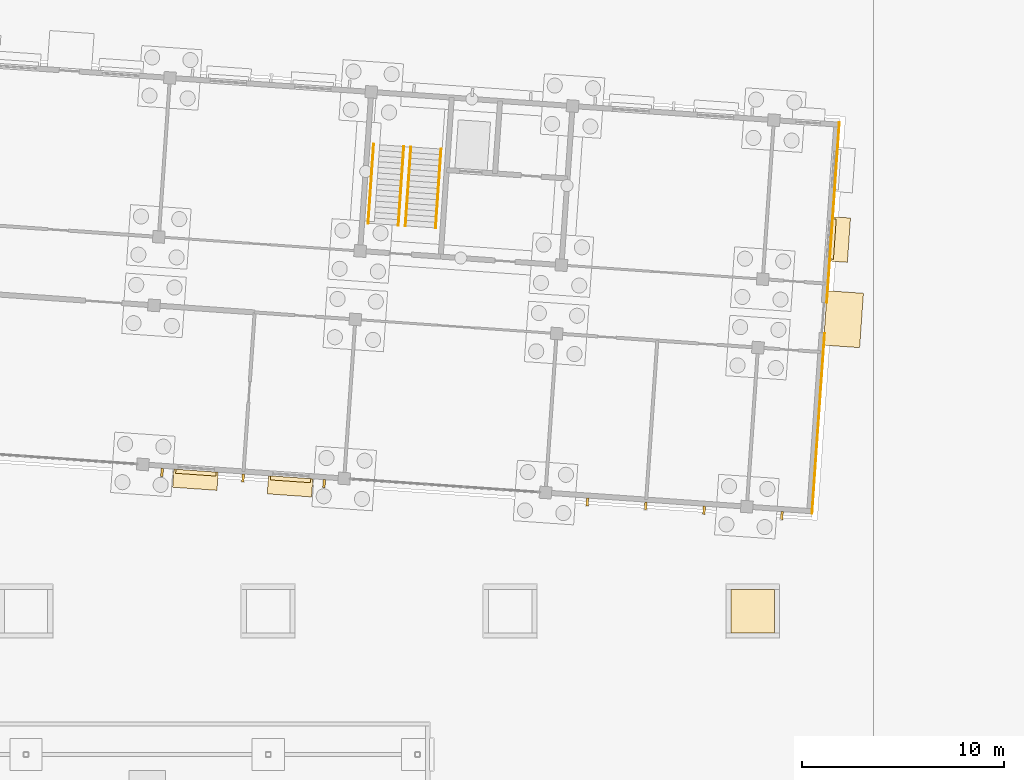
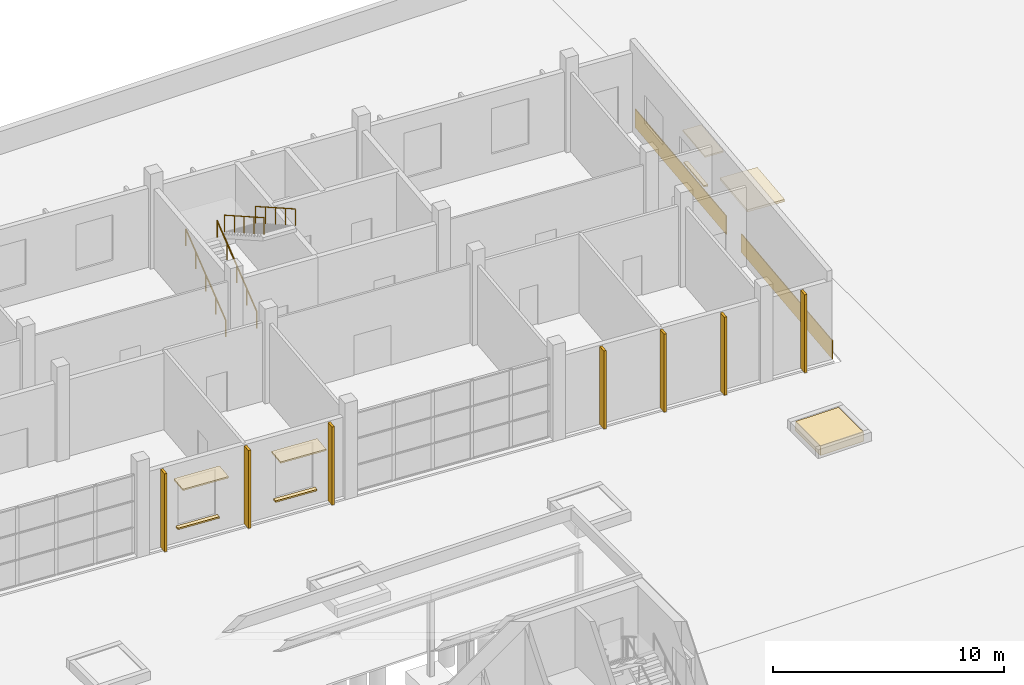
# One storey, part 152 of 157: 10 coverings, 7 shading devices, 4 railings.
"""IFC4 building model written with IfcOpenShell, lengths in metres."""

import ifcopenshell
import ifcopenshell.guid

model = None  # the IFC model being written
_history = None  # IfcOwnerHistory: only IFC2X3 demands one
_inside = {}  # id of a spatial element -> (the spatial element, [elements in it])
_under = {}  # id of a project, library or spatial element -> (it, [spatial elements below it])
_declared = {}  # id of a project -> (the project, [libraries it declares])
_typed = {}  # id of a type object -> (the type object, [elements of that type])
_made_of = {}  # id of a material, layer set ... -> (it, [elements and type objects made of it])


def new_model(schema):
    """Start an empty IFC model of exactly this schema.

    Asked for "IFC4X3", IfcOpenShell would pick the latest addendum, in which some entities
    have other attributes; the version numbers below select the first issue.
    IFC2X3 requires an IfcOwnerHistory on every rooted entity: one is made here for all.
    """
    global model, _history
    if schema == "IFC4X3":
        model = ifcopenshell.file(schema_version=(4, 3, 0, 0))
    else:
        model = ifcopenshell.file(schema=schema)
    _inside.clear()
    _under.clear()
    _declared.clear()
    _typed.clear()
    _made_of.clear()
    _history = None
    if model.schema == "IFC2X3":
        org = make("IfcOrganization", Name="unknown")
        user = make(
            "IfcPersonAndOrganization",
            ThePerson=make("IfcPerson", FamilyName="unknown"),
            TheOrganization=org,
        )
        app = make(
            "IfcApplication",
            ApplicationDeveloper=org,
            Version="unknown",
            ApplicationFullName="unknown",
            ApplicationIdentifier="unknown",
        )
        _history = make(
            "IfcOwnerHistory",
            OwningUser=user,
            OwningApplication=app,
            ChangeAction="ADDED",
            CreationDate=0,
        )
    return model


def make(cls, **values):
    """One entity of the class cls with the attributes given. An attribute that is None is left unset."""
    return model.create_entity(
        cls, **{name: value for name, value in values.items() if value is not None}
    )


def rooted(cls, **values):
    """An entity with a GlobalId (a new one), such as an element, a storey or a relation."""
    return make(cls, GlobalId=ifcopenshell.guid.new(), OwnerHistory=_history, **values)


def si_unit(unit_type, name, prefix=None):
    """IfcSIUnit, for example si_unit("LENGTHUNIT", "METRE", prefix="MILLI")."""
    return make("IfcSIUnit", UnitType=unit_type, Prefix=prefix, Name=name)


def assignment(units):
    """IfcUnitAssignment: the units of a project."""
    return None if units is None else make("IfcUnitAssignment", Units=units)


def point(xyz):
    """IfcCartesianPoint."""
    return None if xyz is None else make("IfcCartesianPoint", Coordinates=xyz)


def direction(xyz):
    """IfcDirection."""
    return None if xyz is None else make("IfcDirection", DirectionRatios=xyz)


def frame(location, z_axis=None, x_axis=None):
    """IfcAxis2Placement3D, a coordinate frame: its origin and axes. An axis left out is left unset."""
    return make(
        "IfcAxis2Placement3D",
        Location=point(location),
        Axis=direction(z_axis),
        RefDirection=direction(x_axis),
    )


def frame_2d(location, x_axis=None):
    """IfcAxis2Placement2D, a coordinate frame in the plane: its origin and x axis."""
    return make(
        "IfcAxis2Placement2D", Location=point(location), RefDirection=direction(x_axis)
    )


def origin():
    """The frame at (0, 0, 0) with its axes left unset."""
    return frame((0.0, 0.0, 0.0))


def origin_2d():
    """The frame at (0, 0) in the plane with its x axis left unset."""
    return frame_2d((0.0, 0.0))


def place(relative_to, where):
    """IfcLocalPlacement: puts the frame where relative to a parent placement (None: the world)."""
    return make(
        "IfcLocalPlacement", PlacementRelTo=relative_to, RelativePlacement=where
    )


def context(
    kind, dimensions, precision=None, world=None, true_north=None, identifier=None
):
    """IfcGeometricRepresentationContext, for example the 3D "Model" context."""
    return make(
        "IfcGeometricRepresentationContext",
        ContextIdentifier=identifier,
        ContextType=kind,
        CoordinateSpaceDimension=dimensions,
        Precision=precision,
        WorldCoordinateSystem=world,
        TrueNorth=true_north,
    )


def subcontext(parent, identifier, kind, view, scale=None):
    """IfcGeometricRepresentationSubContext, for example "Body" below "Model"."""
    return make(
        "IfcGeometricRepresentationSubContext",
        ContextIdentifier=identifier,
        ContextType=kind,
        ParentContext=parent,
        TargetScale=scale,
        TargetView=view,
    )


def project(units=None, contexts=None):
    """IfcProject with its units and contexts."""
    return rooted(
        "IfcProject",
        Name="project",
        RepresentationContexts=contexts,
        UnitsInContext=assignment(units),
    )


def spatial(cls, under=None, at=None, **own):
    """A site, building, storey or space (cls), placed at a placement, below another one or the project."""
    s = rooted(cls, ObjectPlacement=at, **own)
    if under is not None:
        _under.setdefault(under.id(), (under, []))[1].append(s)
    return s


def polyline(points):
    """IfcPolyline through the points."""
    return make("IfcPolyline", Points=[point(p) for p in points])


def profile(cls, at=None, kind="AREA", **sizes):
    """A parametric profile (cls). Its sizes go by their IFC names, for example OverallWidth=200.0."""
    return make(cls, ProfileType=kind, Position=at, **sizes)


def circle(**sizes):
    """IfcCircleProfileDef."""
    return profile("IfcCircleProfileDef", **sizes)


def outline(outer, holes=None, kind="AREA"):
    """IfcArbitraryClosedProfileDef: a profile drawn as a closed curve; with holes, ...WithVoids."""
    if holes is None:
        return make("IfcArbitraryClosedProfileDef", ProfileType=kind, OuterCurve=outer)
    return make(
        "IfcArbitraryProfileDefWithVoids",
        ProfileType=kind,
        OuterCurve=outer,
        InnerCurves=holes,
    )


def extrude(swept, where, along, depth):
    """IfcExtrudedAreaSolid: the profile swept, set in the frame where, extruded along a direction by depth."""
    return make(
        "IfcExtrudedAreaSolid",
        SweptArea=swept,
        Position=where,
        ExtrudedDirection=direction(along),
        Depth=depth,
    )


def shape(context_of_items, identifier, shape_type, items):
    """IfcShapeRepresentation: the items that make up one representation, for example the "Body"."""
    return make(
        "IfcShapeRepresentation",
        ContextOfItems=context_of_items,
        RepresentationIdentifier=identifier,
        RepresentationType=shape_type,
        Items=items,
    )


def material(Name=None, Category=None):
    """IfcMaterial."""
    return make("IfcMaterial", Name=Name, Category=Category)


def layer(
    of_material, thickness, ventilated=None, Name=None, Category=None, Priority=None
):
    """IfcMaterialLayer: one layer of a wall or slab, of a material (None: an air gap)."""
    return make(
        "IfcMaterialLayer",
        Material=of_material,
        LayerThickness=thickness,
        IsVentilated=ventilated,
        Name=Name,
        Category=Category,
        Priority=Priority,
    )


def layer_set(layers, Name=None):
    """IfcMaterialLayerSet."""
    return make("IfcMaterialLayerSet", MaterialLayers=layers, LayerSetName=Name)


def made_of(thing, what):
    """Note that an element or type object is made of a material, layer set ...; save() writes the relation."""
    if what is not None:
        _made_of.setdefault(what.id(), (what, []))[1].append(thing)
    return thing


def type_object(cls, material=None, **own):
    """A type object (cls), such as IfcWallType, which elements share."""
    return made_of(rooted(cls, **own), material)


def element(
    cls,
    number,
    at=None,
    inside=None,
    cuts=None,
    type_object=None,
    material=None,
    context=None,
    identifier="Body",
    shape_type=None,
    held_by="IfcProductDefinitionShape",
    body=None,
    shapes=None,
    **own,
):
    """One element of the class cls, such as IfcWall. Its Tag is "e" and its number.

    at: its placement. inside: the storey or other place that contains it. cuts: it is an
    opening in that element (IfcRelVoidsElement). A single representation is given by context,
    identifier, shape_type and body (its items); several are given by shapes. held_by: the class
    of the entity that holds the representations. save() writes the other relations.
    """
    e = rooted(cls, Tag="e%d" % number, ObjectPlacement=at, **own)
    if body is not None:
        shapes = [shape(context, identifier, shape_type, body)]
    if shapes is not None:
        e.Representation = make(held_by, Representations=shapes)
    if inside is not None:
        _inside.setdefault(inside.id(), (inside, []))[1].append(e)
    if cuts is not None:
        rooted(
            "IfcRelVoidsElement", RelatingBuildingElement=cuts, RelatedOpeningElement=e
        )
    if type_object is not None:
        _typed.setdefault(type_object.id(), (type_object, []))[1].append(e)
    return made_of(e, material)


def aggregate(whole, parts):
    """IfcRelAggregates: a whole, such as a stair, and the parts it consists of."""
    return rooted("IfcRelAggregates", RelatingObject=whole, RelatedObjects=parts)


def save(model, path):
    """Write the relations noted so far, then the file.

    IfcRelAggregates (storeys below a building ...), IfcRelContainedInSpatialStructure (elements
    in a storey), IfcRelDefinesByType, IfcRelAssociatesMaterial and IfcRelDeclares: one each for
    every whole, place, type object, material and project.
    """
    for whole, parts in _under.values():
        aggregate(whole, parts)
    for where, things in _inside.values():
        rooted(
            "IfcRelContainedInSpatialStructure",
            RelatedElements=things,
            RelatingStructure=where,
        )
    for kind, things in _typed.values():
        rooted("IfcRelDefinesByType", RelatedObjects=things, RelatingType=kind)
    for what, things in _made_of.values():
        rooted("IfcRelAssociatesMaterial", RelatedObjects=things, RelatingMaterial=what)
    for by, libraries in _declared.values():
        rooted("IfcRelDeclares", RelatingContext=by, RelatedDefinitions=libraries)
    model.write(path)


model = new_model("IFC4")

# Units and contexts
model_context = context("Model", 3, precision=1e-05, world=origin(), true_north=direction((0.0, 1.0)))
body_context = subcontext(model_context, "Body", "Model", "MODEL_VIEW")
ifc_project = project(units=[si_unit("LENGTHUNIT", "METRE"), si_unit("AREAUNIT", "SQUARE_METRE"), si_unit("VOLUMEUNIT", "CUBIC_METRE"), si_unit("PLANEANGLEUNIT", "RADIAN"), si_unit("MASSUNIT", "GRAM", prefix="KILO")], contexts=[model_context])

# Site, building, storey
site_placement = place(None, origin())
site = spatial("IfcSite", under=ifc_project, at=site_placement, CompositionType="ELEMENT")
building_placement = place(site_placement, origin())
building = spatial("IfcBuilding", under=site, at=building_placement, Name="Windward Yard Aquatics Centre", CompositionType="ELEMENT")
storey_placement = place(building_placement, origin())
storey = spatial("IfcBuildingStorey", under=building, at=storey_placement, Name="L00", CompositionType="ELEMENT", Elevation=0.0)

# Covering
ifc_material_1 = material(Name="Aluminium standing seam canopy on steel brackets", Category="steel")
ifc_layer_1 = layer(ifc_material_1, 0.1201171875)
ifc_layer_set_1 = layer_set([ifc_layer_1], Name="W entrance canopy aluminium 2700x1800")
covering_type_1 = type_object("IfcCoveringType", Name="W entrance canopy aluminium 2700x1800", PredefinedType="CLADDING", material=ifc_layer_set_1)
covering_1_placement = place(storey_placement, frame((0.0, 0.0, 2.5)))
element("IfcCovering", 1, at=covering_1_placement, inside=storey, type_object=covering_type_1, Name="Entrance canopy W0003", PredefinedType="CLADDING", context=body_context, shape_type="SweptSolid", body=[
    extrude(outline(polyline([(171.509765625, 120.684814453125), (171.697998046875, 123.378173828125), (173.49365234375, 123.25244140625), (173.305419921875, 120.55908203125), (171.509765625, 120.684814453125)])), origin(), (0.0, 0.0, 1.0), 0.1201171875),
])

# Railings
ifc_material_2 = material(Name="Stainless steel 1.4401", Category="steel")
railing_type = type_object("IfcRailingType", Name="W handrail 900", PredefinedType="HANDRAIL", material=ifc_material_2)
for number, where, name in (
    (2, (148.950927734375, 126.722900390625, 0.166748046875), "W.HR.E.L00.1L"),
    (3, (150.447265625, 126.618408203125, 0.166748046875), "W.HR.E.L00.1R"),
):
    element("IfcRailing", number, at=place(storey_placement, frame(where)), inside=storey, type_object=railing_type, Name=name, PredefinedType="HANDRAIL", context=body_context, shape_type="SweptSolid", body=[
        extrude(circle(Radius=0.02392578125, at=origin_2d()), frame((0.0, 0.0, 0.8759765625), z_axis=(0.059940638829, 0.857204653678, 0.511475611862), x_axis=(-0.997564127174, 0.069755373817, 0.0)), (0.0, 0.0, 1.0), 4.561767578125),
        extrude(circle(Radius=0.02099609375, at=origin_2d()), origin(), (0.0, 0.0, 1.0), 0.851806640625),
        extrude(circle(Radius=0.02099609375, at=origin_2d()), frame((0.068359375, 0.9775390625, 0.583251953125)), (0.0, 0.0, 1.0), 0.851806640625),
        extrude(circle(Radius=0.02099609375, at=origin_2d()), frame((0.13671875, 1.955078125, 1.16650390625)), (0.0, 0.0, 1.0), 0.851806640625),
        extrude(circle(Radius=0.02099609375, at=origin_2d()), frame((0.205078125, 2.932861328125, 1.75)), (0.0, 0.0, 1.0), 0.851806640625),
        extrude(circle(Radius=0.02099609375, at=origin_2d()), frame((0.2734375, 3.910400390625, 2.333251953125)), (0.0, 0.0, 1.0), 0.851806640625),
    ])
for number, where, name in (
    (4, (151.06982421875, 130.50439453125, 2.666748046875), "W.HR.E.L00.2L"),
    (5, (152.566162109375, 130.399658203125, 2.666748046875), "W.HR.E.L00.2R"),
):
    element("IfcRailing", number, at=place(storey_placement, frame(where)), inside=storey, type_object=railing_type, Name=name, PredefinedType="HANDRAIL", context=body_context, shape_type="SweptSolid", body=[
        extrude(circle(Radius=0.02392578125, at=origin_2d()), frame((0.0, 0.0, 0.8759765625), z_axis=(-0.059940638829, -0.857204653678, 0.511475611862), x_axis=(0.997564127174, -0.069755373817, 0.0)), (0.0, 0.0, 1.0), 4.561767578125),
        extrude(circle(Radius=0.02099609375, at=origin_2d()), origin(), (0.0, 0.0, 1.0), 0.851806640625),
        extrude(circle(Radius=0.02099609375, at=origin_2d()), frame((-0.068359375, -0.9775390625, 0.583251953125)), (0.0, 0.0, 1.0), 0.851806640625),
        extrude(circle(Radius=0.02099609375, at=origin_2d()), frame((-0.13671875, -1.955078125, 1.16650390625)), (0.0, 0.0, 1.0), 0.851806640625),
        extrude(circle(Radius=0.02099609375, at=origin_2d()), frame((-0.205078125, -2.932861328125, 1.75)), (0.0, 0.0, 1.0), 0.851806640625),
        extrude(circle(Radius=0.02099609375, at=origin_2d()), frame((-0.2734375, -3.910400390625, 2.333251953125)), (0.0, 0.0, 1.0), 0.851806640625),
    ])

# Coverings
ifc_material_3 = material(Name="Limestone cladding on stainless steel brackets", Category="masonry")
ifc_layer_2 = layer(ifc_material_3, 0.0400390625)
ifc_layer_set_2 = layer_set([ifc_layer_2], Name="W stone plinth cladding 40")
covering_type_2 = type_object("IfcCoveringType", Name="W stone plinth cladding 40", PredefinedType="CLADDING", material=ifc_layer_set_2)
covering_2_placement = place(storey_placement, origin())
element("IfcCovering", 6, at=covering_2_placement, inside=storey, type_object=covering_type_2, Name="Plinth cladding panel 27", PredefinedType="CLADDING", context=body_context, shape_type="SweptSolid", body=[
    extrude(outline(polyline([(170.925537109375, 112.330078125), (171.551513671875, 121.283203125), (171.591552734375, 121.280517578125), (170.96533203125, 112.327392578125), (170.925537109375, 112.330078125)])), origin(), (0.0, 0.0, 1.0), 0.97998046875),
])
covering_3_placement = place(storey_placement, origin())
element("IfcCovering", 7, at=covering_3_placement, inside=storey, type_object=covering_type_2, Name="Plinth cladding panel 28", PredefinedType="CLADDING", context=body_context, shape_type="SweptSolid", body=[
    extrude(outline(polyline([(171.65625, 122.779541015625), (172.2822265625, 131.732666015625), (172.322265625, 131.72998046875), (171.696044921875, 122.77685546875), (171.65625, 122.779541015625)])), origin(), (0.0, 0.0, 1.0), 0.97998046875),
])

# Shading devices
ifc_material_4 = material(Name="Timber-look aluminium batten, powder coated", Category="wood")
shading_device_type = type_object("IfcShadingDeviceType", Name="W vertical fin 120x400", PredefinedType="USERDEFINED", material=ifc_material_4)
shading_device_1_placement = place(storey_placement, origin())
element("IfcShadingDevice", 8, at=shading_device_1_placement, inside=storey, type_object=shading_device_type, Name="Vertical fin W.FW.L00.S.66.8.1.1", ObjectType="FIN", PredefinedType="USERDEFINED", context=body_context, shape_type="SweptSolid", body=[
    extrude(outline(polyline([(138.666259765625, 114.184814453125), (138.694091796875, 114.583984375), (138.81396484375, 114.575439453125), (138.785888671875, 114.176513671875), (138.666259765625, 114.184814453125)])), origin(), (0.0, 0.0, 1.0), 4.1201171875),
])
shading_device_2_placement = place(storey_placement, origin())
element("IfcShadingDevice", 9, at=shading_device_2_placement, inside=storey, type_object=shading_device_type, Name="Vertical fin W.FW.L00.S.66.8.2.1", ObjectType="FIN", PredefinedType="USERDEFINED", context=body_context, shape_type="SweptSolid", body=[
    extrude(outline(polyline([(142.681396484375, 113.904052734375), (142.70947265625, 114.302978515625), (142.8291015625, 114.294921875), (142.80126953125, 113.895751953125), (142.681396484375, 113.904052734375)])), origin(), (0.0, 0.0, 1.0), 4.1201171875),
])
shading_device_3_placement = place(storey_placement, origin())
element("IfcShadingDevice", 10, at=shading_device_3_placement, inside=storey, type_object=shading_device_type, Name="Vertical fin W.FW.L00.S.66.8.3.1", ObjectType="FIN", PredefinedType="USERDEFINED", context=body_context, shape_type="SweptSolid", body=[
    extrude(outline(polyline([(146.69677734375, 113.623291015625), (146.724609375, 114.0224609375), (146.84423828125, 114.013916015625), (146.81640625, 113.614990234375), (146.69677734375, 113.623291015625)])), origin(), (0.0, 0.0, 1.0), 4.1201171875),
])
shading_device_4_placement = place(storey_placement, origin())
element("IfcShadingDevice", 11, at=shading_device_4_placement, inside=storey, type_object=shading_device_type, Name="Vertical fin W.FW.L00.S.86.8.1.1", ObjectType="FIN", PredefinedType="USERDEFINED", context=body_context, shape_type="SweptSolid", body=[
    extrude(outline(polyline([(159.73974609375, 112.711181640625), (159.767578125, 113.110107421875), (159.887451171875, 113.101806640625), (159.859619140625, 112.702880859375), (159.73974609375, 112.711181640625)])), origin(), (0.0, 0.0, 1.0), 4.1201171875),
])
shading_device_5_placement = place(storey_placement, origin())
element("IfcShadingDevice", 12, at=shading_device_5_placement, inside=storey, type_object=shading_device_type, Name="Vertical fin W.FW.L00.S.86.8.1.2", ObjectType="FIN", PredefinedType="USERDEFINED", context=body_context, shape_type="SweptSolid", body=[
    extrude(outline(polyline([(162.6328125, 112.5087890625), (162.66064453125, 112.907958984375), (162.780517578125, 112.899658203125), (162.75244140625, 112.50048828125), (162.6328125, 112.5087890625)])), origin(), (0.0, 0.0, 1.0), 4.1201171875),
])
shading_device_6_placement = place(storey_placement, origin())
element("IfcShadingDevice", 13, at=shading_device_6_placement, inside=storey, type_object=shading_device_type, Name="Vertical fin W.FW.L00.S.86.8.1.3", ObjectType="FIN", PredefinedType="USERDEFINED", context=body_context, shape_type="SweptSolid", body=[
    extrude(outline(polyline([(165.525634765625, 112.306640625), (165.5537109375, 112.70556640625), (165.67333984375, 112.697265625), (165.6455078125, 112.29833984375), (165.525634765625, 112.306640625)])), origin(), (0.0, 0.0, 1.0), 4.1201171875),
])
shading_device_7_placement = place(storey_placement, origin())
element("IfcShadingDevice", 14, at=shading_device_7_placement, inside=storey, type_object=shading_device_type, Name="Vertical fin W.FW.L00.S.96.8.1.1", ObjectType="FIN", PredefinedType="USERDEFINED", context=body_context, shape_type="SweptSolid", body=[
    extrude(outline(polyline([(169.37890625, 112.037109375), (169.40673828125, 112.436279296875), (169.5263671875, 112.427978515625), (169.49853515625, 112.02880859375), (169.37890625, 112.037109375)])), origin(), (0.0, 0.0, 1.0), 4.1201171875),
])

# Coverings
ifc_material_5 = material(Name="Aluminium composite hood, powder coated", Category="aluminium")
ifc_layer_3 = layer(ifc_material_5, 0.080078125)
ifc_layer_set_3 = layer_set([ifc_layer_3], Name="W window hood aluminium 2200x900")
covering_type_3 = type_object("IfcCoveringType", Name="W window hood aluminium 2200x900", PredefinedType="CLADDING", material=ifc_layer_set_3)
covering_4_placement = place(storey_placement, frame((0.0, 0.0, 2.75)))
element("IfcCovering", 15, at=covering_4_placement, inside=storey, type_object=covering_type_3, Name="Window hood W0512", PredefinedType="CLADDING", context=body_context, shape_type="SweptSolid", body=[
    extrude(outline(polyline([(171.801025390625, 124.849609375), (171.954345703125, 127.044189453125), (172.852294921875, 126.9814453125), (172.69873046875, 124.78662109375), (171.801025390625, 124.849609375)])), origin(), (0.0, 0.0, 1.0), 0.080078125),
])
covering_5_placement = place(storey_placement, frame((0.0, 0.0, 3.35009765625)))
element("IfcCovering", 16, at=covering_5_placement, inside=storey, type_object=covering_type_3, Name="Window hood W0503", PredefinedType="CLADDING", context=body_context, shape_type="SweptSolid", body=[
    extrude(outline(polyline([(139.264892578125, 113.641845703125), (139.32763671875, 114.53955078125), (141.522216796875, 114.385986328125), (141.45947265625, 113.48828125), (139.264892578125, 113.641845703125)])), origin(), (0.0, 0.0, 1.0), 0.079833984375),
])
covering_6_placement = place(storey_placement, frame((0.0, 0.0, 3.35009765625)))
element("IfcCovering", 17, at=covering_6_placement, inside=storey, type_object=covering_type_3, Name="Window hood W0504", PredefinedType="CLADDING", context=body_context, shape_type="SweptSolid", body=[
    extrude(outline(polyline([(143.953369140625, 113.31396484375), (144.01611328125, 114.2119140625), (146.210693359375, 114.058349609375), (146.14794921875, 113.160400390625), (143.953369140625, 113.31396484375)])), origin(), (0.0, 0.0, 1.0), 0.079833984375),
])
ifc_material_6 = material(Name="Limestone sill", Category="masonry")
ifc_layer_4 = layer(ifc_material_6, 0.080078125)
ifc_layer_set_4 = layer_set([ifc_layer_4], Name="W window sill stone 2000x200")
covering_type_4 = type_object("IfcCoveringType", Name="W window sill stone 2000x200", PredefinedType="CLADDING", material=ifc_layer_set_4)
covering_7_placement = place(storey_placement, frame((0.0, 0.0, 1.1201171875)))
element("IfcCovering", 18, at=covering_7_placement, inside=storey, type_object=covering_type_4, Name="Window sill W0512", PredefinedType="CLADDING", context=body_context, shape_type="SweptSolid", body=[
    extrude(outline(polyline([(171.807861328125, 124.94921875), (171.947509765625, 126.9443359375), (172.14697265625, 126.930419921875), (172.007568359375, 124.935302734375), (171.807861328125, 124.94921875)])), origin(), (0.0, 0.0, 1.0), 0.079833984375),
])
covering_8_placement = place(storey_placement, frame((0.0, 0.0, 0.820068359375)))
element("IfcCovering", 19, at=covering_8_placement, inside=storey, type_object=covering_type_4, Name="Window sill W0503", PredefinedType="CLADDING", context=body_context, shape_type="SweptSolid", body=[
    extrude(outline(polyline([(139.413330078125, 114.3330078125), (139.427490234375, 114.53271484375), (141.422607421875, 114.39306640625), (141.40869140625, 114.193603515625), (139.413330078125, 114.3330078125)])), origin(), (0.0, 0.0, 1.0), 0.079833984375),
])
covering_9_placement = place(storey_placement, frame((0.0, 0.0, 0.820068359375)))
element("IfcCovering", 20, at=covering_9_placement, inside=storey, type_object=covering_type_4, Name="Window sill W0504", PredefinedType="CLADDING", context=body_context, shape_type="SweptSolid", body=[
    extrude(outline(polyline([(144.10205078125, 114.00537109375), (144.115966796875, 114.204833984375), (146.111083984375, 114.065185546875), (146.09716796875, 113.86572265625), (144.10205078125, 114.00537109375)])), origin(), (0.0, 0.0, 1.0), 0.079833984375),
])
ifc_material_7 = material(Name="Planting soil")
ifc_layer_5 = layer(ifc_material_7, 0.448, Name="Planting")
ifc_material_8 = material(Name="Filter fabric")
ifc_layer_6 = layer(ifc_material_8, 0.002, Name="Filter")
ifc_material_9 = material(Name="Drainage board")
ifc_layer_7 = layer(ifc_material_9, 0.05, Name="Drainage")
ifc_layer_set_5 = layer_set([ifc_layer_5, ifc_layer_6, ifc_layer_7], Name="X Planting Bed Soil 400")
covering_type_5 = type_object("IfcCoveringType", Name="X Planting Bed Soil 400", PredefinedType="USERDEFINED", material=ifc_layer_set_5)
covering_10_placement = place(storey_placement, frame((0.0, 0.0, -0.10009765625)))
element("IfcCovering", 21, at=covering_10_placement, inside=storey, type_object=covering_type_5, Name="Tree well", ObjectType="PLANTING BED", PredefinedType="USERDEFINED", context=body_context, shape_type="SweptSolid", body=[
    extrude(outline(polyline([(166.925048828125, 106.425048828125), (169.074951171875, 106.425048828125), (169.074951171875, 108.574951171875), (166.925048828125, 108.574951171875), (166.925048828125, 106.425048828125)])), origin(), (0.0, 0.0, 1.0), 0.5),
])

save(model, "model.ifc")
